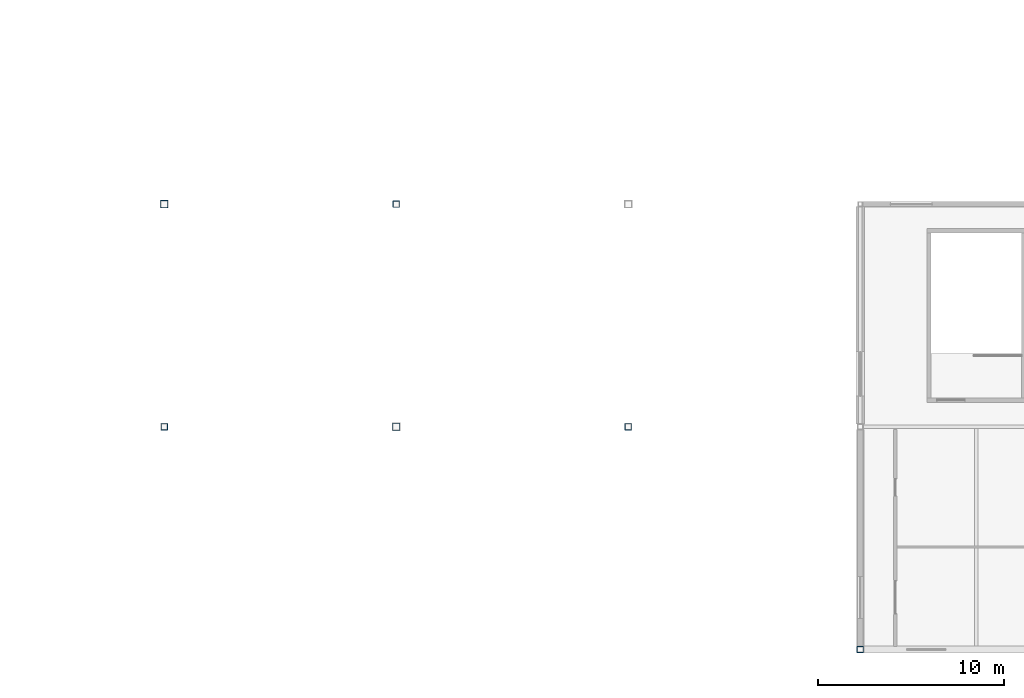
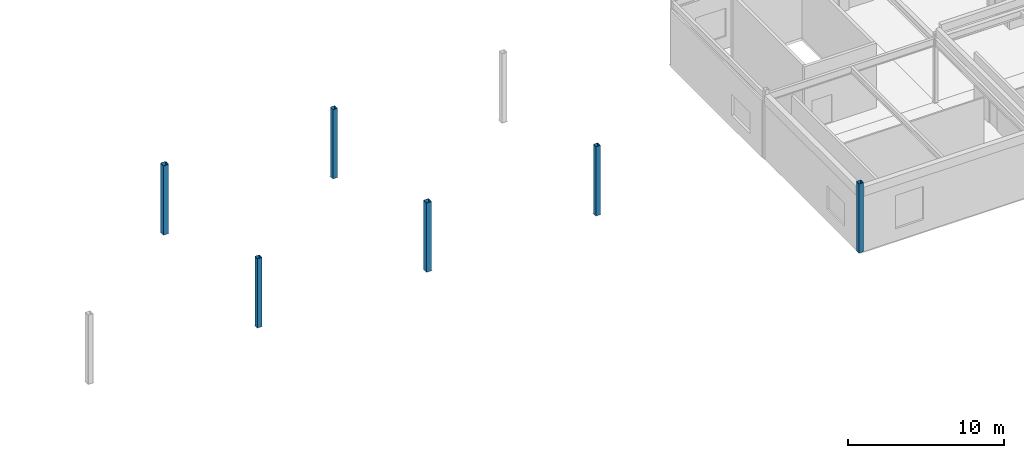
# One storey, part 12 of 76: 6 columns.
"""IFC4 building model written with IfcOpenShell, lengths in metres."""

from ifc_helpers import new_model, si_unit, direction, frame, origin, origin_2d, place, context, subcontext, project, spatial, hollow_rectangle, extrude, material, material_profile, profile_set, type_object, element, save


model = new_model("IFC4")

# Units and contexts
model_context = context("Model", 3, precision=1e-05, world=origin(), true_north=direction((0.0, 1.0)))
body_context = subcontext(model_context, "Body", "Model", "MODEL_VIEW")
ifc_project = project(units=[si_unit("LENGTHUNIT", "METRE"), si_unit("AREAUNIT", "SQUARE_METRE"), si_unit("VOLUMEUNIT", "CUBIC_METRE"), si_unit("PLANEANGLEUNIT", "RADIAN"), si_unit("MASSUNIT", "GRAM", prefix="KILO")], contexts=[model_context])

# Site, building, storey
site_placement = place(None, origin())
site = spatial("IfcSite", under=ifc_project, at=site_placement, CompositionType="ELEMENT")
building_placement = place(site_placement, origin())
building = spatial("IfcBuilding", under=site, at=building_placement, Name="Kazenohara Klinker Stadium", CompositionType="ELEMENT")
storey_placement = place(building_placement, frame((0.0, 0.0, 25.800048828125)))
storey = spatial("IfcBuildingStorey", under=building, at=storey_placement, Name="L05", CompositionType="ELEMENT", Elevation=25.800048828125)

# Columns
ifc_material = material(Name="Steel S355", Category="steel")
ifc_material_profile_1 = material_profile(ifc_material, hollow_rectangle(XDim=0.39990234375, YDim=0.39990234375, WallThickness=0.01611328125, InnerFilletRadius=0.01611328125, OuterFilletRadius=0.031982421875, at=origin_2d()), Name="SHS-400x400x16")
ifc_profile_set_1 = profile_set([ifc_material_profile_1], Name="Steel S355")
column_type_1 = type_object("IfcColumnType", Name="COL-ST01", PredefinedType="COLUMN", material=ifc_profile_set_1)
for number, where, z_axis, x_axis, name in (
    (1, (137.5, 36.0, 0.0), (0.0, 0.0, 1.0), (1.0, 0.0, 0.0), "Canopy ring support column SC01 L05 12/D"),
    (2, (150.0, 24.0, 0.0), (0.0, 0.0, 1.0), (1.0, 0.0, 0.0), "Canopy ring support column SC01 L05 13/C"),
):
    element("IfcColumn", number, at=place(storey_placement, frame(where, z_axis=z_axis, x_axis=x_axis)), inside=storey, type_object=column_type_1, Name=name, PredefinedType="COLUMN", context=body_context, shape_type="SweptSolid", body=[
        extrude(hollow_rectangle(XDim=0.39990234375, YDim=0.39990234375, WallThickness=0.01611328125, InnerFilletRadius=0.01611328125, OuterFilletRadius=0.031982421875, at=origin_2d()), origin(), (0.0, 0.0, 1.0), 5.39990234375),
    ])
ifc_material_profile_2 = material_profile(ifc_material, hollow_rectangle(XDim=0.35009765625, YDim=0.35009765625, WallThickness=0.01611328125, InnerFilletRadius=0.01611328125, OuterFilletRadius=0.031982421875, at=origin_2d()), Name="SHS-350x350x16")
ifc_profile_set_2 = profile_set([ifc_material_profile_2], Name="Steel S355")
column_type_2 = type_object("IfcColumnType", Name="COL-ST02", PredefinedType="COLUMN", material=ifc_profile_set_2)
for number, where, z_axis, x_axis, name in (
    (3, (175.0, 12.0, 0.0), (0.0, 0.0, 1.0), (1.0, 0.0, 0.0), "Column SC02 L05 15/B"),
    (4, (137.5, 24.0, 0.0), (0.0, 0.0, 1.0), (1.0, 0.0, 0.0), "Canopy ring support column SC02 L05 12/C"),
    (5, (150.0, 36.0, 0.0), (0.0, 0.0, 1.0), (1.0, 0.0, 0.0), "Canopy ring support column SC02 L05 13/D"),
    (6, (162.5, 24.0, 0.0), (0.0, 0.0, 1.0), (1.0, 0.0, 0.0), "Canopy ring support column SC02 L05 14/C"),
):
    element("IfcColumn", number, at=place(storey_placement, frame(where, z_axis=z_axis, x_axis=x_axis)), inside=storey, type_object=column_type_2, Name=name, PredefinedType="COLUMN", context=body_context, shape_type="SweptSolid", body=[
        extrude(hollow_rectangle(XDim=0.35009765625, YDim=0.35009765625, WallThickness=0.01611328125, InnerFilletRadius=0.01611328125, OuterFilletRadius=0.031982421875, at=origin_2d()), origin(), (0.0, 0.0, 1.0), 5.39990234375),
    ])

save(model, "model.ifc")
